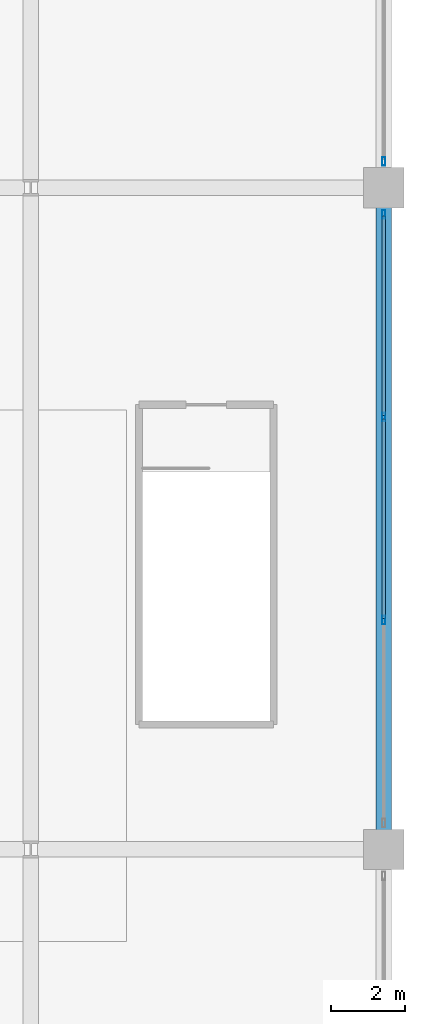
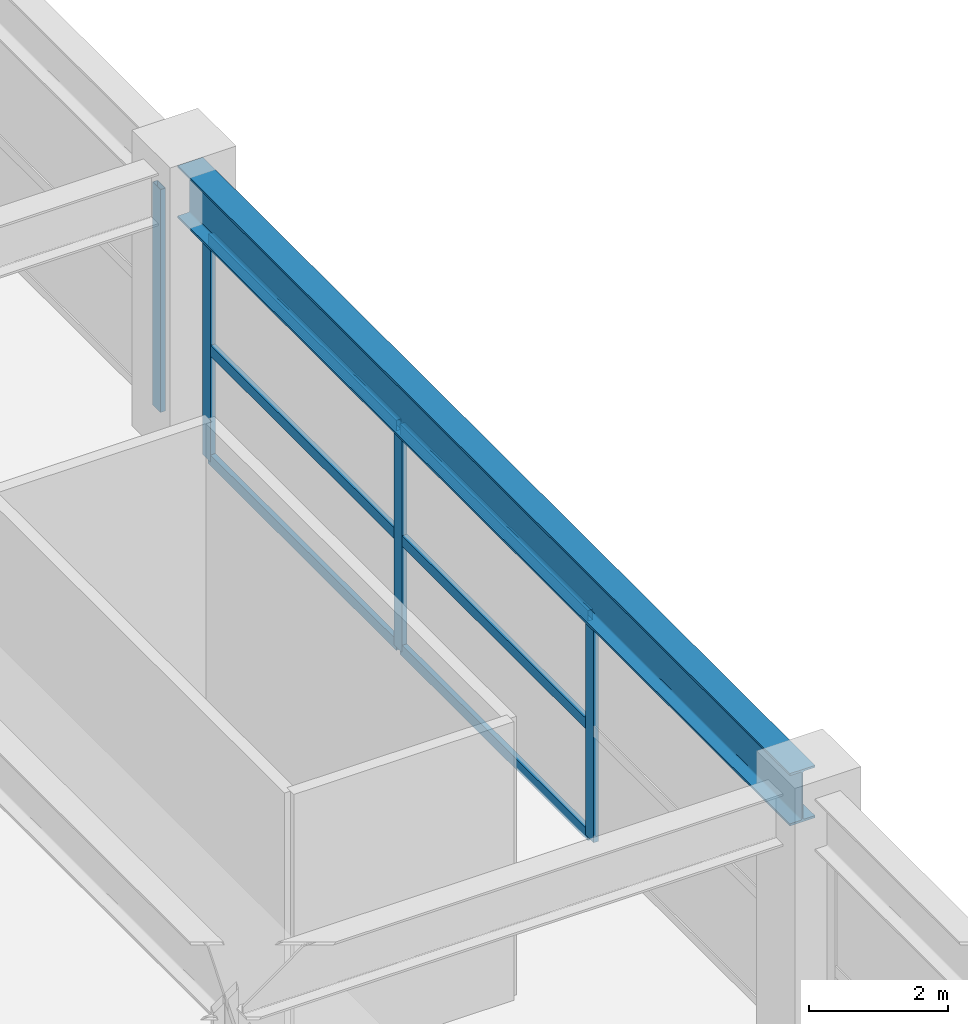
# One storey, part 24 of 35: 10 members, 1 beam, 2 elements without a shape of their own.
"""IFC4 building model written with IfcOpenShell, lengths in metres."""

from ifc_helpers import new_model, si_unit, direction, frame, origin, origin_2d, place, context, subcontext, project, spatial, hollow_rectangle, i_section, extrude, material, material_profile, profile_set, type_object, element, aggregate, save


model = new_model("IFC4")

# Units and contexts
model_context = context("Model", 3, precision=1e-05, world=origin(), true_north=direction((0.0, 1.0)))
body_context = subcontext(model_context, "Body", "Model", "MODEL_VIEW")
ifc_project = project(units=[si_unit("LENGTHUNIT", "METRE"), si_unit("AREAUNIT", "SQUARE_METRE"), si_unit("VOLUMEUNIT", "CUBIC_METRE"), si_unit("PLANEANGLEUNIT", "RADIAN"), si_unit("MASSUNIT", "GRAM", prefix="KILO")], contexts=[model_context])

# Site, building, storey
site_placement = place(None, origin())
site = spatial("IfcSite", under=ifc_project, at=site_placement, CompositionType="ELEMENT")
building_placement = place(site_placement, origin())
building = spatial("IfcBuilding", under=site, at=building_placement, Name="Kovane Verandah Tower", CompositionType="ELEMENT")
storey_placement = place(building_placement, frame((0.0, 0.0, 16.39990234375)))
storey = spatial("IfcBuildingStorey", under=building, at=storey_placement, Name="L03", CompositionType="ELEMENT", Elevation=16.39990234375)

# Beam
ifc_material_1 = material(Name="Steel S460", Category="steel")
ifc_material_profile_1 = material_profile(ifc_material_1, i_section(OverallWidth=0.42041015625, OverallDepth=0.9208984375, WebThickness=0.021484375, FlangeThickness=0.03662109375, FilletRadius=0.024169921875, at=origin_2d()), Name="UB914x419x388")
ifc_profile_set_1 = profile_set([ifc_material_profile_1], Name="Steel S460")
beam_type = type_object("IfcBeamType", Name="BM-UB914x388", PredefinedType="BEAM", material=ifc_profile_set_1)
beam_placement = place(storey_placement, frame((82.0, 18.679931640625, 4.439697265625), z_axis=(0.0, 1.0, 0.0), x_axis=(-1.0, 0.0, 0.0)))
element("IfcBeam", 1, at=beam_placement, inside=storey, type_object=beam_type, Name="L03 Podium Garden Transfer Girder Y41", PredefinedType="BEAM", context=body_context, shape_type="SweptSolid", body=[
    extrude(i_section(OverallWidth=0.42041015625, OverallDepth=0.9208984375, WebThickness=0.021484375, FlangeThickness=0.03662109375, FilletRadius=0.024169921875, at=origin_2d()), origin(), (0.0, 0.0, 1.0), 17.64013671875),
])

# Curtain wall, members
ifc_material_2 = material(Name="Champagne Anodised Aluminium Frame with Low-E Clear Laminated Glass", Category="aluminium")
curtain_wall_type = type_object("IfcCurtainWallType", Name="CW-SYS-01-POD", PredefinedType="NOTDEFINED", material=ifc_material_2)
curtain_wall_1_placement = place(storey_placement, origin())
curtain_wall_1 = element("IfcCurtainWall", 2, at=curtain_wall_1_placement, inside=storey, type_object=curtain_wall_type, Name="L03 East Podium Curtain Wall Bay 3", PredefinedType="NOTDEFINED")
ifc_material_3 = material(Name="Champagne Anodised Aluminium 6063-T6", Category="aluminium")
ifc_material_profile_2 = material_profile(ifc_material_3, hollow_rectangle(XDim=0.0849609375, YDim=0.22998046875, WallThickness=0.00390625, at=origin_2d()), Name="AL85x230x4")
ifc_profile_set_2 = profile_set([ifc_material_profile_2], Name="Champagne Anodised Aluminium 6063-T6")
member_type_1 = type_object("IfcMemberType", Name="CW-MUL-85x230", PredefinedType="MULLION", material=ifc_profile_set_2)
member_1_placement = place(storey_placement, frame((82.0, 24.739990234375, 0.02001953125), z_axis=(0.0, 0.0, 1.0), x_axis=(1.0, 0.0, 0.0)))
member_1 = element("IfcMember", 3, at=member_1_placement, type_object=member_type_1, Name="L03 East Podium Curtain Wall Bay 3 Mullion 2", PredefinedType="MULLION", context=body_context, shape_type="SweptSolid", body=[
    extrude(hollow_rectangle(XDim=0.0849609375, YDim=0.22998046875, WallThickness=0.00390625, at=origin_2d()), origin(), (0.0, 0.0, 1.0), 3.919189453125),
])
member_2_placement = place(storey_placement, frame((82.0, 30.260009765625, 0.02001953125), z_axis=(0.0, 0.0, 1.0), x_axis=(1.0, 0.0, 0.0)))
member_2 = element("IfcMember", 4, at=member_2_placement, type_object=member_type_1, Name="L03 East Podium Curtain Wall Bay 3 Mullion 3", PredefinedType="MULLION", context=body_context, shape_type="SweptSolid", body=[
    extrude(hollow_rectangle(XDim=0.0849609375, YDim=0.22998046875, WallThickness=0.00390625, at=origin_2d()), origin(), (0.0, 0.0, 1.0), 3.919189453125),
])
member_3_placement = place(storey_placement, frame((82.0, 35.780029296875, 0.02001953125), z_axis=(0.0, 0.0, 1.0), x_axis=(1.0, 0.0, 0.0)))
member_3 = element("IfcMember", 5, at=member_3_placement, type_object=member_type_1, Name="L03 East Podium Curtain Wall Bay 3 Mullion 4", PredefinedType="MULLION", context=body_context, shape_type="SweptSolid", body=[
    extrude(hollow_rectangle(XDim=0.0849609375, YDim=0.22998046875, WallThickness=0.00390625, at=origin_2d()), origin(), (0.0, 0.0, 1.0), 3.919189453125),
])

# Curtain wall, member
curtain_wall_2_placement = place(storey_placement, origin())
curtain_wall_2 = element("IfcCurtainWall", 6, at=curtain_wall_2_placement, inside=storey, type_object=curtain_wall_type, Name="L03 East Podium Curtain Wall Bay 4", PredefinedType="NOTDEFINED")
member_4_placement = place(storey_placement, frame((82.0, 37.219970703125, 0.02001953125), z_axis=(0.0, 0.0, 1.0), x_axis=(1.0, 0.0, 0.0)))
member_4 = element("IfcMember", 7, at=member_4_placement, type_object=member_type_1, Name="L03 East Podium Curtain Wall Bay 4 Mullion 1", PredefinedType="MULLION", context=body_context, shape_type="SweptSolid", body=[
    extrude(hollow_rectangle(XDim=0.0849609375, YDim=0.22998046875, WallThickness=0.00390625, at=origin_2d()), origin(), (0.0, 0.0, 1.0), 3.919189453125),
])
aggregate(curtain_wall_2, [member_4])

# Member
ifc_material_profile_3 = material_profile(ifc_material_3, hollow_rectangle(XDim=0.0849609375, YDim=0.18994140625, WallThickness=0.00390625, at=origin_2d()), Name="AL85x190x4")
ifc_profile_set_3 = profile_set([ifc_material_profile_3], Name="Champagne Anodised Aluminium 6063-T6")
member_type_2 = type_object("IfcMemberType", Name="CW-TRN-85x190", PredefinedType="USERDEFINED", material=ifc_profile_set_3)
member_5_placement = place(storey_placement, frame((82.0, 24.7900390625, 0.050048828125), z_axis=(0.0, 1.0, 0.0), x_axis=(-1.0, 0.0, 0.0)))
member_5 = element("IfcMember", 8, at=member_5_placement, type_object=member_type_2, Name="L03 East Podium Curtain Wall Bay 3 Transom TB Bay 2", ObjectType="TRANSOM", PredefinedType="USERDEFINED", context=body_context, shape_type="SweptSolid", body=[
    extrude(hollow_rectangle(XDim=0.0849609375, YDim=0.18994140625, WallThickness=0.00390625, at=origin_2d()), origin(), (0.0, 0.0, 1.0), 5.419921875),
])

member_6_placement = place(storey_placement, frame((82.0, 24.7900390625, 1.9794921875), z_axis=(0.0, 1.0, 0.0), x_axis=(-1.0, 0.0, 0.0)))
member_6 = element("IfcMember", 9, at=member_6_placement, type_object=member_type_2, Name="L03 East Podium Curtain Wall Bay 3 Transom TM Bay 2", ObjectType="TRANSOM", PredefinedType="USERDEFINED", context=body_context, shape_type="SweptSolid", body=[
    extrude(hollow_rectangle(XDim=0.0849609375, YDim=0.18994140625, WallThickness=0.00390625, at=origin_2d()), origin(), (0.0, 0.0, 1.0), 5.419921875),
])

member_7_placement = place(storey_placement, frame((82.0, 24.7900390625, 3.9091796875), z_axis=(0.0, 1.0, 0.0), x_axis=(-1.0, 0.0, 0.0)))
member_7 = element("IfcMember", 10, at=member_7_placement, type_object=member_type_2, Name="L03 East Podium Curtain Wall Bay 3 Transom TT Bay 2", ObjectType="TRANSOM", PredefinedType="USERDEFINED", context=body_context, shape_type="SweptSolid", body=[
    extrude(hollow_rectangle(XDim=0.0849609375, YDim=0.18994140625, WallThickness=0.00390625, at=origin_2d()), origin(), (0.0, 0.0, 1.0), 5.419921875),
])

member_8_placement = place(storey_placement, frame((82.0, 30.31005859375, 0.050048828125), z_axis=(0.0, 1.0, 0.0), x_axis=(-1.0, 0.0, 0.0)))
member_8 = element("IfcMember", 11, at=member_8_placement, type_object=member_type_2, Name="L03 East Podium Curtain Wall Bay 3 Transom TB Bay 3", ObjectType="TRANSOM", PredefinedType="USERDEFINED", context=body_context, shape_type="SweptSolid", body=[
    extrude(hollow_rectangle(XDim=0.0849609375, YDim=0.18994140625, WallThickness=0.00390625, at=origin_2d()), origin(), (0.0, 0.0, 1.0), 5.419921875),
])

member_9_placement = place(storey_placement, frame((82.0, 30.31005859375, 1.9794921875), z_axis=(0.0, 1.0, 0.0), x_axis=(-1.0, 0.0, 0.0)))
member_9 = element("IfcMember", 12, at=member_9_placement, type_object=member_type_2, Name="L03 East Podium Curtain Wall Bay 3 Transom TM Bay 3", ObjectType="TRANSOM", PredefinedType="USERDEFINED", context=body_context, shape_type="SweptSolid", body=[
    extrude(hollow_rectangle(XDim=0.0849609375, YDim=0.18994140625, WallThickness=0.00390625, at=origin_2d()), origin(), (0.0, 0.0, 1.0), 5.419921875),
])

member_10_placement = place(storey_placement, frame((82.0, 30.31005859375, 3.9091796875), z_axis=(0.0, 1.0, 0.0), x_axis=(-1.0, 0.0, 0.0)))
member_10 = element("IfcMember", 13, at=member_10_placement, type_object=member_type_2, Name="L03 East Podium Curtain Wall Bay 3 Transom TT Bay 3", ObjectType="TRANSOM", PredefinedType="USERDEFINED", context=body_context, shape_type="SweptSolid", body=[
    extrude(hollow_rectangle(XDim=0.0849609375, YDim=0.18994140625, WallThickness=0.00390625, at=origin_2d()), origin(), (0.0, 0.0, 1.0), 5.419921875),
])

aggregate(curtain_wall_1, [member_1, member_2, member_3, member_5, member_6, member_7, member_8, member_9, member_10])

save(model, "model.ifc")
